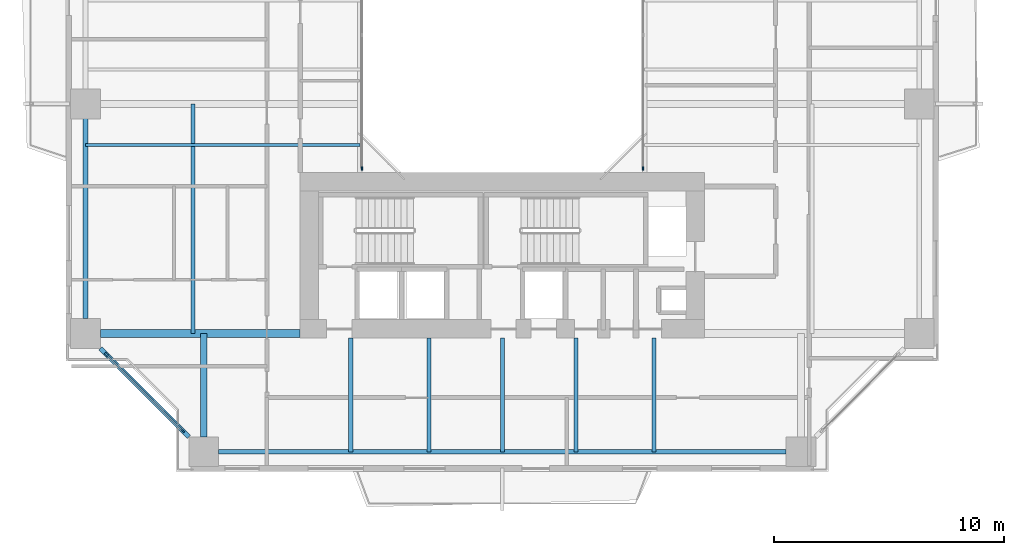
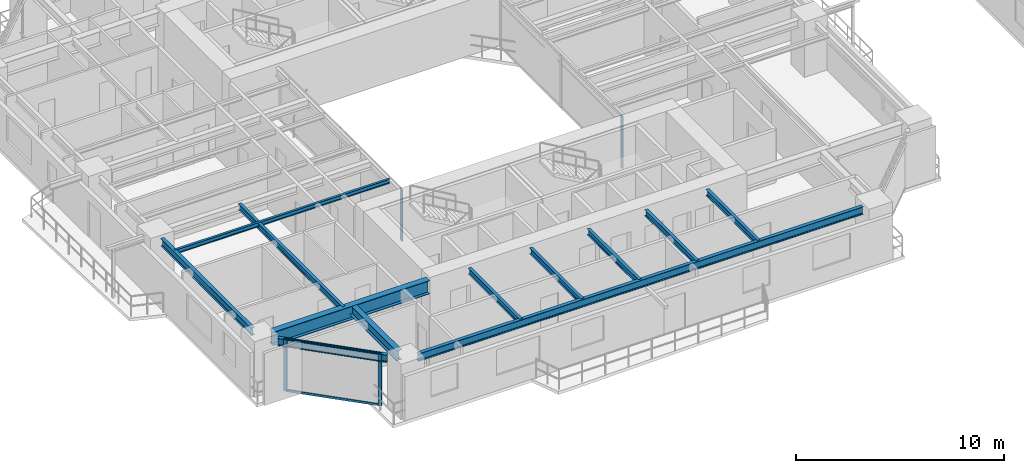
# One storey, part 2 of 23: 12 beams, 6 members, 3 elements without a shape of their own.
"""IFC4 building model written with IfcOpenShell, lengths in metres."""

from ifc_helpers import new_model, si_unit, direction, frame, origin, origin_2d, place, context, subcontext, project, spatial, rectangle, i_section, extrude, source, transform, mapped, material, layer, layer_set, material_profile, profile_set, type_object, element, aggregate, save


model = new_model("IFC4")

# Units and contexts
model_context = context("Model", 3, precision=1e-05, world=origin(), true_north=direction((0.0, 1.0)))
body_context = subcontext(model_context, "Body", "Model", "MODEL_VIEW")
ifc_project = project(units=[si_unit("LENGTHUNIT", "METRE"), si_unit("AREAUNIT", "SQUARE_METRE"), si_unit("VOLUMEUNIT", "CUBIC_METRE"), si_unit("PLANEANGLEUNIT", "RADIAN"), si_unit("MASSUNIT", "GRAM", prefix="KILO"), si_unit("THERMODYNAMICTEMPERATUREUNIT", "KELVIN"), si_unit("POWERUNIT", "WATT")], contexts=[model_context])

# Site, building, storey
site_placement = place(None, origin())
site = spatial("IfcSite", under=ifc_project, at=site_placement, CompositionType="ELEMENT")
building_placement = place(site_placement, origin())
building = spatial("IfcBuilding", under=site, at=building_placement, Name="Qiaomeng Ring Towers", CompositionType="ELEMENT")
storey_placement = place(building_placement, frame((0.0, 0.0, 66.5)))
storey = spatial("IfcBuildingStorey", under=building, at=storey_placement, Name="L18", CompositionType="ELEMENT", Elevation=66.5)

# Beams
ifc_material_1 = material(Name="Steel Q355B", Category="steel")
ifc_material_profile_1 = material_profile(ifc_material_1, i_section(OverallWidth=0.199951171875, OverallDepth=0.449951171875, WebThickness=0.009033203125, FlangeThickness=0.013916015625, FilletRadius=0.01806640625, at=origin_2d()), Name="HN 450x200x9x14")
ifc_profile_set_1 = profile_set([ifc_material_profile_1], Name="Steel Q355B")
beam_type_1 = type_object("IfcBeamType", Name="STR-BM-HN450", PredefinedType="SPANDREL", material=ifc_profile_set_1)
shared_shape_1 = source(origin(), body_context, "Body", "SweptSolid", [
    extrude(i_section(OverallWidth=0.199951171875, OverallDepth=0.449951171875, WebThickness=0.009033203125, FlangeThickness=0.013916015625, FilletRadius=0.01806640625, at=origin_2d()), origin(), (0.0, 0.0, 1.0), 24.7021484375),
])
beam_1_placement = place(storey_placement, frame((6.64892578125, 4.85009765625, 2.844970703125), z_axis=(1.0, 0.0, 0.0), x_axis=(0.0, 1.0, 0.0)))
element("IfcBeam", 1, at=beam_1_placement, inside=storey, type_object=beam_type_1, Name="L18 beam STR-SP-L18-T1-S1-S2", PredefinedType="SPANDREL", context=body_context, shape_type="MappedRepresentation", body=[
    mapped(shared_shape_1, transform((0.0, 0.0, 0.0), x_axis=(1.0, 0.0, 0.0), y_axis=(0.0, 1.0, 0.0), z_axis=(0.0, 0.0, 1.0), scale=1.0)),
])
shared_shape_2 = source(origin(), body_context, "Body", "SweptSolid", [
    extrude(i_section(OverallWidth=0.199951171875, OverallDepth=0.449951171875, WebThickness=0.009033203125, FlangeThickness=0.013916015625, FilletRadius=0.01806640625, at=origin_2d()), origin(), (0.0, 0.0, 1.0), 5.446533203125),
])
beam_2_placement = place(storey_placement, frame((1.499267578125, 9.3505859375, 2.844970703125), z_axis=(0.707106781187, -0.707106781187, 0.0), x_axis=(0.707106781187, 0.707106781187, 0.0)))
element("IfcBeam", 2, at=beam_2_placement, inside=storey, type_object=beam_type_1, Name="L18 beam STR-SP-L18-T1-W1-S1", PredefinedType="SPANDREL", context=body_context, shape_type="MappedRepresentation", body=[
    mapped(shared_shape_2, transform((0.0, 0.0, 0.0), x_axis=(1.0, 0.0, 0.0), y_axis=(0.0, 1.0, 0.0), z_axis=(0.0, 0.0, 1.0), scale=1.0)),
])
shared_shape_3 = source(origin(), body_context, "Body", "SweptSolid", [
    extrude(i_section(OverallWidth=0.199951171875, OverallDepth=0.449951171875, WebThickness=0.009033203125, FlangeThickness=0.013916015625, FilletRadius=0.01806640625, at=origin_2d()), origin(), (0.0, 0.0, 1.0), 8.7021484375),
])
beam_3_placement = place(storey_placement, frame((0.85009765625, 19.35107421875, 2.844970703125), z_axis=(0.0, -1.0, 0.0), x_axis=(1.0, 0.0, 0.0)))
element("IfcBeam", 3, at=beam_3_placement, inside=storey, type_object=beam_type_1, Name="L18 beam STR-SP-L18-T1-W2-W1", PredefinedType="SPANDREL", context=body_context, shape_type="MappedRepresentation", body=[
    mapped(shared_shape_3, transform((0.0, 0.0, 0.0), x_axis=(1.0, 0.0, 0.0), y_axis=(0.0, 1.0, 0.0), z_axis=(0.0, 0.0, 1.0), scale=1.0)),
])
ifc_material_2 = material(Name="Steel Q390GJC", Category="steel")
ifc_material_profile_2 = material_profile(ifc_material_2, i_section(OverallWidth=0.35009765625, OverallDepth=0.800048828125, WebThickness=0.01611328125, FlangeThickness=0.028076171875, at=origin_2d()), Name="WH 800x350x16x28")
ifc_profile_set_2 = profile_set([ifc_material_profile_2], Name="Steel Q390GJC")
beam_type_2 = type_object("IfcBeamType", Name="STR-BM-WH800", PredefinedType="BEAM", material=ifc_profile_set_2)
shared_shape_4 = source(origin(), body_context, "Body", "SweptSolid", [
    extrude(i_section(OverallWidth=0.35009765625, OverallDepth=0.800048828125, WebThickness=0.01611328125, FlangeThickness=0.028076171875, at=origin_2d()), origin(), (0.0, 0.0, 1.0), 8.700927734375),
])
beam_4_placement = place(storey_placement, frame((1.4990234375, 10.0, 2.669921875), z_axis=(1.0, 0.0, 0.0), x_axis=(0.0, 1.0, 0.0)))
element("IfcBeam", 4, at=beam_4_placement, inside=storey, type_object=beam_type_2, Name="L18 beam STR-BM-L18-T1-RAD-W1", PredefinedType="BEAM", context=body_context, shape_type="MappedRepresentation", body=[
    mapped(shared_shape_4, transform((0.0, 0.0, 0.0), x_axis=(1.0, 0.0, 0.0), y_axis=(0.0, 1.0, 0.0), z_axis=(0.0, 0.0, 1.0), scale=1.0)),
])
ifc_material_profile_3 = material_profile(ifc_material_1, i_section(OverallWidth=0.300048828125, OverallDepth=0.587890625, WebThickness=0.011962890625, FlangeThickness=0.02001953125, FilletRadius=0.028076171875, at=origin_2d()), Name="HM 588x300x12x20")
ifc_profile_set_3 = profile_set([ifc_material_profile_3], Name="Steel Q355B")
beam_type_3 = type_object("IfcBeamType", Name="STR-BM-HM588", PredefinedType="BEAM", material=ifc_profile_set_3)
shared_shape_5 = source(origin(), body_context, "Body", "SweptSolid", [
    extrude(i_section(OverallWidth=0.300048828125, OverallDepth=0.587890625, WebThickness=0.011962890625, FlangeThickness=0.02001953125, FilletRadius=0.028076171875, at=origin_2d()), origin(), (0.0, 0.0, 1.0), 4.5009765625),
])
beam_5_placement = place(storey_placement, frame((6.0, 5.4990234375, 2.77587890625), z_axis=(0.0, 1.0, 0.0), x_axis=(-1.0, 0.0, 0.0)))
element("IfcBeam", 5, at=beam_5_placement, inside=storey, type_object=beam_type_3, Name="L18 beam STR-BM-L18-T1-RAD-S1", PredefinedType="BEAM", context=body_context, shape_type="MappedRepresentation", body=[
    mapped(shared_shape_5, transform((0.0, 0.0, 0.0), x_axis=(1.0, 0.0, 0.0), y_axis=(0.0, 1.0, 0.0), z_axis=(0.0, 0.0, 1.0), scale=1.0)),
])
ifc_material_profile_4 = material_profile(ifc_material_1, i_section(OverallWidth=0.175048828125, OverallDepth=0.35009765625, WebThickness=0.007080078125, FlangeThickness=0.010986328125, FilletRadius=0.013916015625, at=origin_2d()), Name="HN 350x175x7x11")
ifc_profile_set_4 = profile_set([ifc_material_profile_4], Name="Steel Q355B")
beam_type_4 = type_object("IfcBeamType", Name="STR-BM-HN350", PredefinedType="JOIST", material=ifc_profile_set_4)
shared_shape_6 = source(origin(), body_context, "Body", "SweptSolid", [
    extrude(i_section(OverallWidth=0.175048828125, OverallDepth=0.35009765625, WebThickness=0.007080078125, FlangeThickness=0.010986328125, FilletRadius=0.013916015625, at=origin_2d()), origin(), (0.0, 0.0, 1.0), 4.949951171875),
])
for number, where, z_axis, x_axis, name in (
    (6, (12.39990234375, 4.85009765625, 2.89501953125), (0.0, 1.0, 0.0), (-1.0, 0.0, 0.0), "L18 beam STR-JST-L18-T1S-1"),
    (7, (15.800048828125, 4.85009765625, 2.89501953125), (0.0, 1.0, 0.0), (-1.0, 0.0, 0.0), "L18 beam STR-JST-L18-T1S-2"),
    (8, (19.0, 4.85009765625, 2.89501953125), (0.0, 1.0, 0.0), (-1.0, 0.0, 0.0), "L18 beam STR-JST-L18-T1S-3"),
    (9, (22.199951171875, 4.85009765625, 2.89501953125), (0.0, 1.0, 0.0), (-1.0, 0.0, 0.0), "L18 beam STR-JST-L18-T1S-4"),
    (10, (25.60009765625, 4.85009765625, 2.89501953125), (0.0, 1.0, 0.0), (-1.0, 0.0, 0.0), "L18 beam STR-JST-L18-T1S-5"),
):
    element("IfcBeam", number, at=place(storey_placement, frame(where, z_axis=z_axis, x_axis=x_axis)), inside=storey, type_object=beam_type_4, Name=name, PredefinedType="JOIST", context=body_context, shape_type="MappedRepresentation", body=[
        mapped(shared_shape_6, transform((0.0, 0.0, 0.0), x_axis=(1.0, 0.0, 0.0), y_axis=(0.0, 1.0, 0.0), z_axis=(0.0, 0.0, 1.0), scale=1.0)),
    ])
ifc_material_profile_5 = material_profile(ifc_material_1, i_section(OverallWidth=0.125, OverallDepth=0.25, WebThickness=0.006103515625, FlangeThickness=0.009033203125, FilletRadius=0.011962890625, at=origin_2d()), Name="HN 250x125x6x9")
ifc_profile_set_5 = profile_set([ifc_material_profile_5], Name="Steel Q355B")
beam_type_5 = type_object("IfcBeamType", Name="STR-BM-HN250", PredefinedType="JOIST", material=ifc_profile_set_5)
shared_shape_7 = source(origin(), body_context, "Body", "SweptSolid", [
    extrude(i_section(OverallWidth=0.125, OverallDepth=0.25, WebThickness=0.006103515625, FlangeThickness=0.009033203125, FilletRadius=0.011962890625, at=origin_2d()), origin(), (0.0, 0.0, 1.0), 11.949951171875),
])
beam_6_placement = place(storey_placement, frame((0.85009765625, 18.199951171875, 2.945068359375), z_axis=(1.0, 0.0, 0.0), x_axis=(0.0, 1.0, 0.0)))
element("IfcBeam", 11, at=beam_6_placement, inside=storey, type_object=beam_type_5, Name="L18 beam STR-JST-L18-T1W-1", PredefinedType="JOIST", context=body_context, shape_type="MappedRepresentation", body=[
    mapped(shared_shape_7, transform((0.0, 0.0, 0.0), x_axis=(1.0, 0.0, 0.0), y_axis=(0.0, 1.0, 0.0), z_axis=(0.0, 0.0, 1.0), scale=1.0)),
])
shared_shape_8 = source(origin(), body_context, "Body", "SweptSolid", [
    extrude(i_section(OverallWidth=0.175048828125, OverallDepth=0.35009765625, WebThickness=0.007080078125, FlangeThickness=0.010986328125, FilletRadius=0.013916015625, at=origin_2d()), origin(), (0.0, 0.0, 1.0), 10.0),
])
beam_7_placement = place(storey_placement, frame((5.52490234375, 10.0, 2.89501953125), z_axis=(0.0, 1.0, 0.0), x_axis=(-1.0, 0.0, 0.0)))
element("IfcBeam", 12, at=beam_7_placement, inside=storey, type_object=beam_type_4, Name="L18 beam STR-JST-L18-T1C-WS", PredefinedType="JOIST", context=body_context, shape_type="MappedRepresentation", body=[
    mapped(shared_shape_8, transform((0.0, 0.0, 0.0), x_axis=(1.0, 0.0, 0.0), y_axis=(0.0, 1.0, 0.0), z_axis=(0.0, 0.0, 1.0), scale=1.0)),
])

# Curtain wall, member
ifc_material_3 = material(Name="Fluorocarbon dark-grey aluminium", Category="aluminium")
ifc_layer_1 = layer(ifc_material_3, 0.139892578125, Name="Fluorocarbon dark-grey aluminium")
ifc_layer_set_1 = layer_set([ifc_layer_1], Name="Fluorocarbon dark-grey aluminium")
curtain_wall_type_1 = type_object("IfcCurtainWallType", Name="ARC-CW-4", PredefinedType="NOTDEFINED", material=ifc_layer_set_1)
curtain_wall_1_placement = place(storey_placement, origin())
curtain_wall_1 = element("IfcCurtainWall", 13, at=curtain_wall_1_placement, inside=storey, type_object=curtain_wall_type_1, Name="L18 Curtain Wall CW4", PredefinedType="NOTDEFINED")
ifc_material_profile_6 = material_profile(ifc_material_3, rectangle(XDim=0.06494140625, YDim=0.159912109375, at=origin_2d()), Name="ALU MULL 65x160")
ifc_profile_set_6 = profile_set([ifc_material_profile_6], Name="Fluorocarbon dark-grey aluminium")
member_type_1 = type_object("IfcMemberType", Name="ARC-CWM-140", PredefinedType="MULLION", material=ifc_profile_set_6)
shared_shape_9 = source(origin(), body_context, "Body", "SweptSolid", [
    extrude(rectangle(XDim=0.06494140625, YDim=0.159912109375, at=origin_2d()), origin(), (0.0, 0.0, 1.0), 3.070068359375),
])
member_1_placement = place(storey_placement, frame((12.8798828125, 17.1826171875, 0.0), z_axis=(0.0, 0.0, 1.0), x_axis=(-1.0, 0.0, 0.0)))
member_1 = element("IfcMember", 14, at=member_1_placement, type_object=member_type_1, Name="CW4 mullion 1", PredefinedType="MULLION", context=body_context, shape_type="MappedRepresentation", body=[
    mapped(shared_shape_9, transform((0.0, 0.0, 0.0), x_axis=(1.0, 0.0, 0.0), y_axis=(0.0, 1.0, 0.0), z_axis=(0.0, 0.0, 1.0), scale=1.0)),
])
aggregate(curtain_wall_1, [member_1])

curtain_wall_2_placement = place(storey_placement, origin())
curtain_wall_2 = element("IfcCurtainWall", 15, at=curtain_wall_2_placement, inside=storey, type_object=curtain_wall_type_1, Name="L18 Curtain Wall CW4", PredefinedType="NOTDEFINED")
member_2_placement = place(storey_placement, frame((25.1201171875, 17.1826171875, 0.0), z_axis=(0.0, 0.0, 1.0), x_axis=(-1.0, 0.0, 0.0)))
member_2 = element("IfcMember", 16, at=member_2_placement, type_object=member_type_1, Name="CW4 mullion 1", PredefinedType="MULLION", context=body_context, shape_type="MappedRepresentation", body=[
    mapped(shared_shape_9, transform((0.0, 0.0, 0.0), x_axis=(1.0, 0.0, 0.0), y_axis=(0.0, 1.0, 0.0), z_axis=(0.0, 0.0, 1.0), scale=1.0)),
])
aggregate(curtain_wall_2, [member_2])

# Curtain wall, members
ifc_layer_2 = layer(ifc_material_3, 0.159912109375, Name="Fluorocarbon dark-grey aluminium")
ifc_layer_set_2 = layer_set([ifc_layer_2], Name="Fluorocarbon dark-grey aluminium")
curtain_wall_type_2 = type_object("IfcCurtainWallType", Name="ARC-CW-2", PredefinedType="NOTDEFINED", material=ifc_layer_set_2)
curtain_wall_3_placement = place(storey_placement, origin())
curtain_wall_3 = element("IfcCurtainWall", 17, at=curtain_wall_3_placement, inside=storey, type_object=curtain_wall_type_2, Name="L18 Curtain Wall CW2", PredefinedType="NOTDEFINED")
ifc_material_profile_7 = material_profile(ifc_material_3, rectangle(XDim=0.070068359375, YDim=0.179931640625, at=origin_2d()), Name="ALU MULL 70x180")
ifc_profile_set_7 = profile_set([ifc_material_profile_7], Name="Fluorocarbon dark-grey aluminium")
member_type_2 = type_object("IfcMemberType", Name="ARC-CWM-160", PredefinedType="MULLION", material=ifc_profile_set_7)
shared_shape_10 = source(origin(), body_context, "Body", "SweptSolid", [
    extrude(rectangle(XDim=0.070068359375, YDim=0.179931640625, at=origin_2d()), origin(), (0.0, 0.0, 1.0), 3.070068359375),
])
member_3_placement = place(storey_placement, frame((1.7646484375, 9.085205078125, 0.0), z_axis=(0.0, 0.0, 1.0), x_axis=(0.707106781187, 0.707106781187, 0.0)))
member_3 = element("IfcMember", 18, at=member_3_placement, type_object=member_type_2, Name="CW2 mullion 1", PredefinedType="MULLION", context=body_context, shape_type="MappedRepresentation", body=[
    mapped(shared_shape_10, transform((0.0, 0.0, 0.0), x_axis=(1.0, 0.0, 0.0), y_axis=(0.0, 1.0, 0.0), z_axis=(0.0, 0.0, 1.0), scale=1.0)),
])
member_4_placement = place(storey_placement, frame((5.085205078125, 5.7646484375, 0.0), z_axis=(0.0, 0.0, 1.0), x_axis=(0.707106781187, 0.707106781187, 0.0)))
member_4 = element("IfcMember", 19, at=member_4_placement, type_object=member_type_2, Name="CW2 mullion 2", PredefinedType="MULLION", context=body_context, shape_type="MappedRepresentation", body=[
    mapped(shared_shape_10, transform((0.0, 0.0, 0.0), x_axis=(1.0, 0.0, 0.0), y_axis=(0.0, 1.0, 0.0), z_axis=(0.0, 0.0, 1.0), scale=1.0)),
])
ifc_material_profile_8 = material_profile(ifc_material_3, rectangle(XDim=0.06494140625, YDim=0.1298828125, at=origin_2d()), Name="ALU TRAN 65x130")
ifc_profile_set_8 = profile_set([ifc_material_profile_8], Name="Fluorocarbon dark-grey aluminium")
member_type_3 = type_object("IfcMemberType", Name="ARC-CWT-120", PredefinedType="USERDEFINED", material=ifc_profile_set_8)
shared_shape_11 = source(origin(), body_context, "Body", "SweptSolid", [
    extrude(rectangle(XDim=0.06494140625, YDim=0.1298828125, at=origin_2d()), origin(), (0.0, 0.0, 1.0), 4.6259765625),
])
member_5_placement = place(storey_placement, frame((1.78955078125, 9.060546875, 0.032470703125), z_axis=(0.707106781187, -0.707106781187, 0.0), x_axis=(0.707106781187, 0.707106781187, 0.0)))
member_5 = element("IfcMember", 20, at=member_5_placement, type_object=member_type_3, Name="CW2 transom 1.1", ObjectType="TRANSOM", PredefinedType="USERDEFINED", context=body_context, shape_type="MappedRepresentation", body=[
    mapped(shared_shape_11, transform((0.0, 0.0, 0.0), x_axis=(1.0, 0.0, 0.0), y_axis=(0.0, 1.0, 0.0), z_axis=(0.0, 0.0, 1.0), scale=1.0)),
])
member_6_placement = place(storey_placement, frame((1.78955078125, 9.060546875, 3.03759765625), z_axis=(0.707106781187, -0.707106781187, 0.0), x_axis=(0.707106781187, 0.707106781187, 0.0)))
member_6 = element("IfcMember", 21, at=member_6_placement, type_object=member_type_3, Name="CW2 transom 1.2", ObjectType="TRANSOM", PredefinedType="USERDEFINED", context=body_context, shape_type="MappedRepresentation", body=[
    mapped(shared_shape_11, transform((0.0, 0.0, 0.0), x_axis=(1.0, 0.0, 0.0), y_axis=(0.0, 1.0, 0.0), z_axis=(0.0, 0.0, 1.0), scale=1.0)),
])
aggregate(curtain_wall_3, [member_3, member_4, member_5, member_6])

save(model, "model.ifc")
